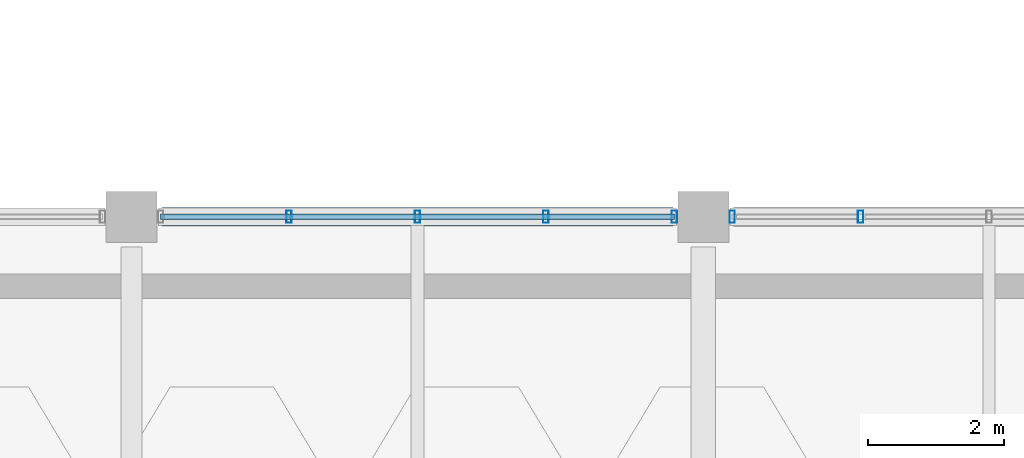
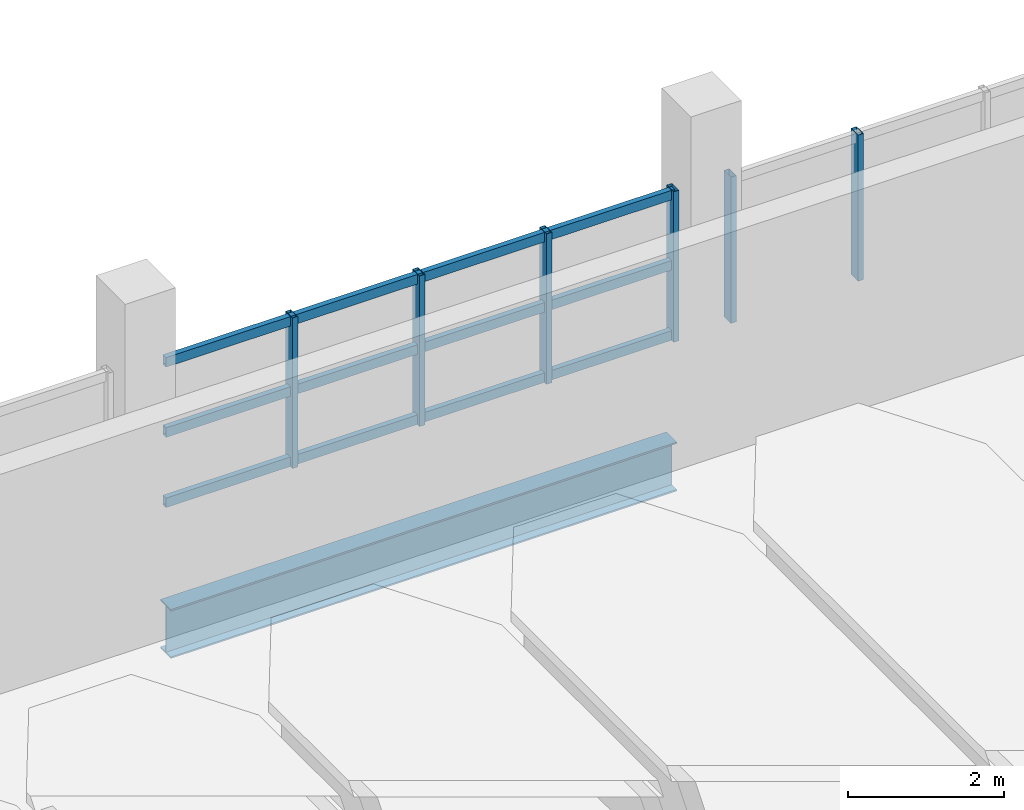
# One storey, part 61 of 117: 9 members, 1 beam, 2 elements without a shape of their own.
"""IFC4 building model written with IfcOpenShell, lengths in metres."""

from ifc_helpers import new_model, si_unit, direction, frame, origin, origin_2d, place, context, subcontext, project, spatial, hollow_rectangle, i_section, extrude, material, material_profile, profile_set, type_object, element, aggregate, save


model = new_model("IFC4")

# Units and contexts
model_context = context("Model", 3, precision=1e-05, world=origin(), true_north=direction((0.0, 1.0)))
body_context = subcontext(model_context, "Body", "Model", "MODEL_VIEW")
ifc_project = project(units=[si_unit("LENGTHUNIT", "METRE"), si_unit("AREAUNIT", "SQUARE_METRE"), si_unit("VOLUMEUNIT", "CUBIC_METRE"), si_unit("PLANEANGLEUNIT", "RADIAN"), si_unit("MASSUNIT", "GRAM", prefix="KILO")], contexts=[model_context])

# Site, building, storey
site_placement = place(None, origin())
site = spatial("IfcSite", under=ifc_project, at=site_placement, CompositionType="ELEMENT")
building_placement = place(site_placement, origin())
building = spatial("IfcBuilding", under=site, at=building_placement, Name="Solvento Point Concert Hall", CompositionType="ELEMENT")
storey_placement = place(building_placement, frame((0.0, 0.0, 5.39990234375)))
storey = spatial("IfcBuildingStorey", under=building, at=storey_placement, Name="L01", CompositionType="ELEMENT", Elevation=5.39990234375)

# Beam
ifc_material_1 = material(Name="Structural Steel ASTM A992 Grade 50", Category="steel")
ifc_material_profile_1 = material_profile(ifc_material_1, i_section(OverallWidth=0.26806640625, OverallDepth=0.77001953125, WebThickness=0.015625, FlangeThickness=0.025390625, at=origin_2d()), Name="W30X132")
ifc_profile_set_1 = profile_set([ifc_material_profile_1], Name="Structural Steel ASTM A992 Grade 50")
beam_type = type_object("IfcBeamType", Name="Girder_W30X132", PredefinedType="USERDEFINED", material=ifc_profile_set_1)
beam_placement = place(storey_placement, frame((175.64404296875, 25.5, -0.808837890625), z_axis=(1.0, 0.0, 0.0), x_axis=(0.0, 1.0, 0.0)))
element("IfcBeam", 1, at=beam_placement, inside=storey, type_object=beam_type, Name="Primary girder B-68 L01", ObjectType="GIRDER", PredefinedType="USERDEFINED", context=body_context, shape_type="SweptSolid", body=[
    extrude(i_section(OverallWidth=0.26806640625, OverallDepth=0.77001953125, WebThickness=0.015625, FlangeThickness=0.025390625, at=origin_2d()), origin(), (0.0, 0.0, 1.0), 7.511962890625),
])

# Curtain wall, members
ifc_material_2 = material(Name="Anodized Bronze Aluminium", Category="aluminium")
curtain_wall_type = type_object("IfcCurtainWallType", Name="CurtainWall_ChamberCircle", PredefinedType="USERDEFINED", material=ifc_material_2)
curtain_wall_1_placement = place(storey_placement, origin())
curtain_wall_1 = element("IfcCurtainWall", 2, at=curtain_wall_1_placement, inside=storey, type_object=curtain_wall_type, Name="Unitised curtain wall CW-32 UCW-L01-079", ObjectType="UNITISED CURTAIN WALL", PredefinedType="USERDEFINED")
ifc_material_3 = material(Name="Anodized Bronze Aluminium", Category="aluminium")
ifc_material_profile_2 = material_profile(ifc_material_3, hollow_rectangle(XDim=0.080078125, YDim=0.179931640625, WallThickness=0.00390625, at=origin_2d()), Name="CW-MUL-80X180")
ifc_profile_set_2 = profile_set([ifc_material_profile_2], Name="Anodized Bronze Aluminium")
member_type_1 = type_object("IfcMemberType", Name="Mullion_80x180", PredefinedType="MULLION", material=ifc_profile_set_2)
member_1_placement = place(storey_placement, frame((177.512451171875, 25.5, 1.1201171875), z_axis=(0.0, 0.0, 1.0), x_axis=(1.0, 0.0, 0.0)))
member_1 = element("IfcMember", 3, at=member_1_placement, type_object=member_type_1, Name="Curtain wall mullion ML-01", PredefinedType="MULLION", context=body_context, shape_type="SweptSolid", body=[
    extrude(hollow_rectangle(XDim=0.080078125, YDim=0.179931640625, WallThickness=0.00390625, at=origin_2d()), origin(), (0.0, 0.0, 1.0), 2.364990234375),
])
member_2_placement = place(storey_placement, frame((179.39990234375, 25.5, 1.1201171875), z_axis=(0.0, 0.0, 1.0), x_axis=(1.0, 0.0, 0.0)))
member_2 = element("IfcMember", 4, at=member_2_placement, type_object=member_type_1, Name="Curtain wall mullion ML-01", PredefinedType="MULLION", context=body_context, shape_type="SweptSolid", body=[
    extrude(hollow_rectangle(XDim=0.080078125, YDim=0.179931640625, WallThickness=0.00390625, at=origin_2d()), origin(), (0.0, 0.0, 1.0), 2.364990234375),
])
member_3_placement = place(storey_placement, frame((181.28759765625, 25.5, 1.1201171875), z_axis=(0.0, 0.0, 1.0), x_axis=(1.0, 0.0, 0.0)))
member_3 = element("IfcMember", 5, at=member_3_placement, type_object=member_type_1, Name="Curtain wall mullion ML-01", PredefinedType="MULLION", context=body_context, shape_type="SweptSolid", body=[
    extrude(hollow_rectangle(XDim=0.080078125, YDim=0.179931640625, WallThickness=0.00390625, at=origin_2d()), origin(), (0.0, 0.0, 1.0), 2.364990234375),
])
member_4_placement = place(storey_placement, frame((183.175048828125, 25.5, 1.1201171875), z_axis=(0.0, 0.0, 1.0), x_axis=(1.0, 0.0, 0.0)))
member_4 = element("IfcMember", 6, at=member_4_placement, type_object=member_type_1, Name="Curtain wall mullion ML-01", PredefinedType="MULLION", context=body_context, shape_type="SweptSolid", body=[
    extrude(hollow_rectangle(XDim=0.080078125, YDim=0.179931640625, WallThickness=0.00390625, at=origin_2d()), origin(), (0.0, 0.0, 1.0), 2.364990234375),
])

curtain_wall_2_placement = place(storey_placement, origin())
curtain_wall_2 = element("IfcCurtainWall", 7, at=curtain_wall_2_placement, inside=storey, type_object=curtain_wall_type, Name="Unitised curtain wall CW-32 UCW-L01-080", ObjectType="UNITISED CURTAIN WALL", PredefinedType="USERDEFINED")
member_5_placement = place(storey_placement, frame((184.02490234375, 25.5, 1.1201171875), z_axis=(0.0, 0.0, 1.0), x_axis=(1.0, 0.0, 0.0)))
member_5 = element("IfcMember", 8, at=member_5_placement, type_object=member_type_1, Name="Curtain wall mullion ML-01", PredefinedType="MULLION", context=body_context, shape_type="SweptSolid", body=[
    extrude(hollow_rectangle(XDim=0.080078125, YDim=0.179931640625, WallThickness=0.00390625, at=origin_2d()), origin(), (0.0, 0.0, 1.0), 2.296875),
])
member_6_placement = place(storey_placement, frame((185.91259765625, 25.5, 1.1201171875), z_axis=(0.0, 0.0, 1.0), x_axis=(1.0, 0.0, 0.0)))
member_6 = element("IfcMember", 9, at=member_6_placement, type_object=member_type_1, Name="Curtain wall mullion ML-01", PredefinedType="MULLION", context=body_context, shape_type="SweptSolid", body=[
    extrude(hollow_rectangle(XDim=0.080078125, YDim=0.179931640625, WallThickness=0.00390625, at=origin_2d()), origin(), (0.0, 0.0, 1.0), 2.296875),
])
aggregate(curtain_wall_2, [member_5, member_6])

# Member
ifc_material_4 = material(Name="Anodized Bronze Aluminium", Category="aluminium")
ifc_material_profile_3 = material_profile(ifc_material_4, hollow_rectangle(XDim=0.080078125, YDim=0.14990234375, WallThickness=0.00390625, at=origin_2d()), Name="CW-TRN-80X150")
ifc_profile_set_3 = profile_set([ifc_material_profile_3], Name="Anodized Bronze Aluminium")
member_type_2 = type_object("IfcMemberType", Name="Transom_80x150", PredefinedType="USERDEFINED", material=ifc_profile_set_3)
member_7_placement = place(storey_placement, frame((175.625, 25.5, 1.2001953125), z_axis=(1.0, 0.0, 0.0), x_axis=(0.0, 1.0, 0.0)))
member_7 = element("IfcMember", 10, at=member_7_placement, type_object=member_type_2, Name="Curtain wall transom TR-01", ObjectType="TRANSOM", PredefinedType="USERDEFINED", context=body_context, shape_type="SweptSolid", body=[
    extrude(hollow_rectangle(XDim=0.080078125, YDim=0.14990234375, WallThickness=0.00390625, at=origin_2d()), origin(), (0.0, 0.0, 1.0), 7.550048828125),
])

member_8_placement = place(storey_placement, frame((175.625, 25.5, 2.302490234375), z_axis=(1.0, 0.0, 0.0), x_axis=(0.0, 1.0, 0.0)))
member_8 = element("IfcMember", 11, at=member_8_placement, type_object=member_type_2, Name="Curtain wall transom TR-01", ObjectType="TRANSOM", PredefinedType="USERDEFINED", context=body_context, shape_type="SweptSolid", body=[
    extrude(hollow_rectangle(XDim=0.080078125, YDim=0.14990234375, WallThickness=0.00390625, at=origin_2d()), origin(), (0.0, 0.0, 1.0), 7.550048828125),
])

member_9_placement = place(storey_placement, frame((175.625, 25.5, 3.405029296875), z_axis=(1.0, 0.0, 0.0), x_axis=(0.0, 1.0, 0.0)))
member_9 = element("IfcMember", 12, at=member_9_placement, type_object=member_type_2, Name="Curtain wall transom TR-01", ObjectType="TRANSOM", PredefinedType="USERDEFINED", context=body_context, shape_type="SweptSolid", body=[
    extrude(hollow_rectangle(XDim=0.080078125, YDim=0.14990234375, WallThickness=0.00390625, at=origin_2d()), origin(), (0.0, 0.0, 1.0), 7.550048828125),
])

aggregate(curtain_wall_1, [member_1, member_2, member_3, member_4, member_7, member_8, member_9])

save(model, "model.ifc")
